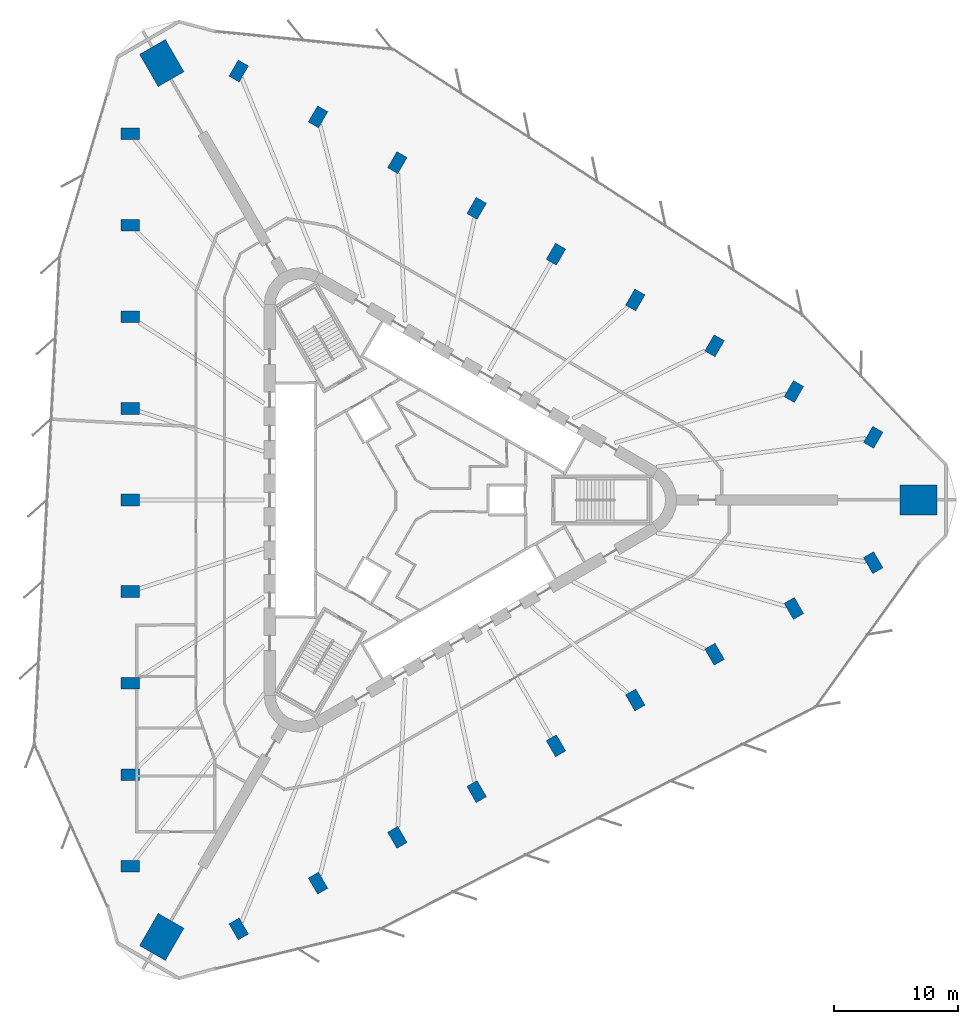
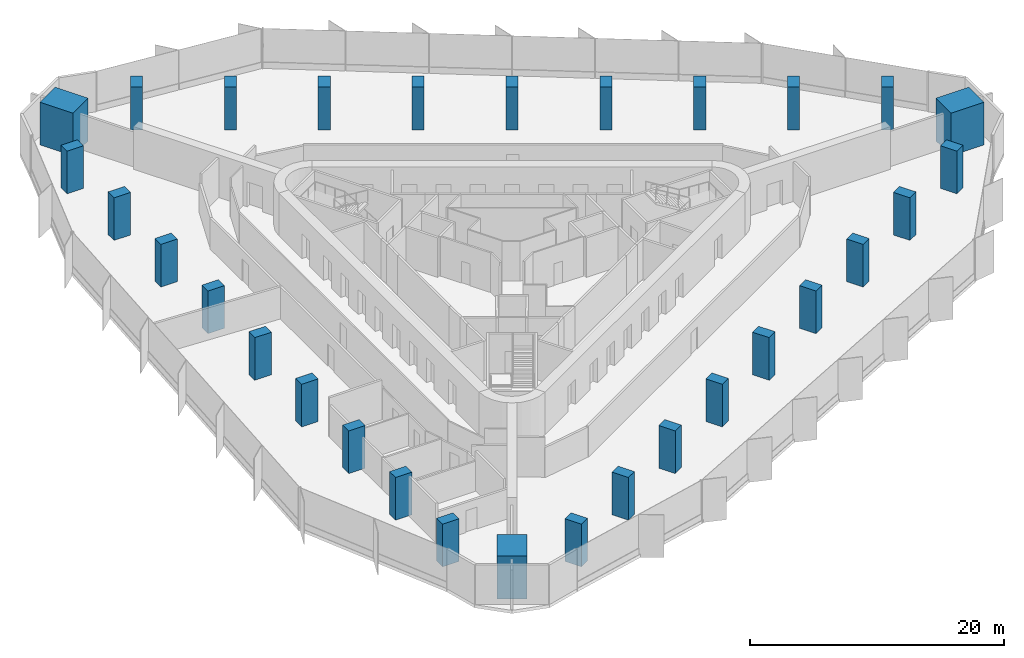
# One storey, part 1 of 14: 30 columns.
"""IFC4 building model written with IfcOpenShell, lengths in metres."""

from ifc_helpers import new_model, si_unit, direction, frame, origin, origin_2d, place, context, subcontext, project, spatial, rectangle, extrude, material, material_profile, profile_set, type_object, element, save


model = new_model("IFC4")

# Units and contexts
model_context = context("Model", 3, precision=1e-05, world=origin(), true_north=direction((0.0, 1.0)))
body_context = subcontext(model_context, "Body", "Model", "MODEL_VIEW")
ifc_project = project(units=[si_unit("LENGTHUNIT", "METRE"), si_unit("AREAUNIT", "SQUARE_METRE"), si_unit("VOLUMEUNIT", "CUBIC_METRE"), si_unit("PLANEANGLEUNIT", "RADIAN"), si_unit("MASSUNIT", "GRAM", prefix="KILO")], contexts=[model_context])

# Site, building, storey
site_placement = place(None, origin())
site = spatial("IfcSite", under=ifc_project, at=site_placement, CompositionType="ELEMENT")
building_placement = place(site_placement, origin())
building = spatial("IfcBuilding", under=site, at=building_placement, Name="Tanit Gate Tower", CompositionType="ELEMENT")
storey_placement = place(building_placement, frame((0.0, 0.0, 111.10009765625)))
storey = spatial("IfcBuildingStorey", under=building, at=storey_placement, Name="L23", CompositionType="ELEMENT", Elevation=111.10009765625)

# Columns
ifc_material_1 = material(Name="Concrete C70/85", Category="concrete")
ifc_material_profile_1 = material_profile(ifc_material_1, rectangle(XDim=3.0, YDim=2.39990234375, at=origin_2d()), Name="RC 3000x2400")
ifc_profile_set_1 = profile_set([ifc_material_profile_1], Name="Concrete C70/85")
column_type_1 = type_object("IfcColumnType", Name="MEGA COLUMN 3000x2400 C70/85", PredefinedType="COLUMN", material=ifc_profile_set_1)
for number, where, z_axis, x_axis, name in (
    (1, (40.72314453125, 0.0, 0.0), (0.0, 0.0, 1.0), (1.0, 0.0, 0.0), "MEGA COLUMN"),
    (2, (-20.361572265625, 35.26708984375, 0.0), (0.0, 0.0, 1.0), (-0.5, 0.866025403784, 0.0), "MEGA COLUMN"),
    (3, (-20.361572265625, -35.26708984375, 0.0), (0.0, 0.0, 1.0), (-0.5, -0.866025403784, 0.0), "MEGA COLUMN"),
):
    element("IfcColumn", number, at=place(storey_placement, frame(where, z_axis=z_axis, x_axis=x_axis)), inside=storey, type_object=column_type_1, Name=name, PredefinedType="COLUMN", context=body_context, shape_type="SweptSolid", body=[
        extrude(rectangle(XDim=3.0, YDim=2.39990234375, at=origin_2d()), origin(), (0.0, 0.0, 1.0), 4.099853515625),
    ])
ifc_material_2 = material(Name="Concrete C60/75", Category="concrete")
ifc_material_profile_2 = material_profile(ifc_material_2, rectangle(XDim=1.5, YDim=0.949951171875, at=origin_2d()), Name="RC 1500x950")
ifc_profile_set_2 = profile_set([ifc_material_profile_2], Name="Concrete C60/75")
column_type_2 = type_object("IfcColumnType", Name="PERIMETER COLUMN 1500x950 C60/75", PredefinedType="COLUMN", material=ifc_profile_set_2)
for number, where, z_axis, x_axis, name in (
    (4, (-22.9091796875, 29.56591796875, 0.0), (0.0, 0.0, 1.0), (-1.0, 0.0, 0.0), "PERIMETER COLUMN"),
    (5, (-22.9091796875, 22.17431640625, 0.0), (0.0, 0.0, 1.0), (-1.0, 0.0, 0.0), "PERIMETER COLUMN"),
    (6, (-22.9091796875, 14.782958984375, 0.0), (0.0, 0.0, 1.0), (-1.0, 0.0, 0.0), "PERIMETER COLUMN"),
    (7, (-22.9091796875, 7.391357421875, 0.0), (0.0, 0.0, 1.0), (-1.0, 0.0, 0.0), "PERIMETER COLUMN"),
    (8, (-22.9091796875, 0.0, 0.0), (0.0, 0.0, 1.0), (-1.0, 0.0, 0.0), "PERIMETER COLUMN"),
    (9, (-22.9091796875, -7.391357421875, 0.0), (0.0, 0.0, 1.0), (-1.0, 0.0, 0.0), "PERIMETER COLUMN"),
    (10, (-22.9091796875, -14.782958984375, 0.0), (0.0, 0.0, 1.0), (-1.0, 0.0, 0.0), "PERIMETER COLUMN"),
    (11, (-22.9091796875, -22.17431640625, 0.0), (0.0, 0.0, 1.0), (-1.0, 0.0, 0.0), "PERIMETER COLUMN"),
    (12, (-22.9091796875, -29.56591796875, 0.0), (0.0, 0.0, 1.0), (-1.0, 0.0, 0.0), "PERIMETER COLUMN"),
    (13, (37.059326171875, 5.056884765625, 0.0), (0.0, 0.0, 1.0), (0.5, 0.866025403784, 0.0), "PERIMETER COLUMN"),
    (14, (30.658203125, 8.752685546875, 0.0), (0.0, 0.0, 1.0), (0.5, 0.866025403784, 0.0), "PERIMETER COLUMN"),
    (15, (24.2568359375, 12.448486328125, 0.0), (0.0, 0.0, 1.0), (0.5, 0.866025403784, 0.0), "PERIMETER COLUMN"),
    (16, (17.855712890625, 16.14404296875, 0.0), (0.0, 0.0, 1.0), (0.5, 0.866025403784, 0.0), "PERIMETER COLUMN"),
    (17, (11.45458984375, 19.83984375, 0.0), (0.0, 0.0, 1.0), (0.5, 0.866025403784, 0.0), "PERIMETER COLUMN"),
    (18, (5.05322265625, 23.535400390625, 0.0), (0.0, 0.0, 1.0), (0.5, 0.866025403784, 0.0), "PERIMETER COLUMN"),
    (19, (-1.347900390625, 27.231201171875, 0.0), (0.0, 0.0, 1.0), (0.5, 0.866025403784, 0.0), "PERIMETER COLUMN"),
    (20, (-7.7490234375, 30.927001953125, 0.0), (0.0, 0.0, 1.0), (0.5, 0.866025403784, 0.0), "PERIMETER COLUMN"),
    (21, (-14.150146484375, 34.622802734375, 0.0), (0.0, 0.0, 1.0), (0.5, 0.866025403784, 0.0), "PERIMETER COLUMN"),
    (22, (-14.150146484375, -34.622802734375, 0.0), (0.0, 0.0, 1.0), (0.5, -0.866025403784, 0.0), "PERIMETER COLUMN"),
    (23, (-7.7490234375, -30.927001953125, 0.0), (0.0, 0.0, 1.0), (0.5, -0.866025403784, 0.0), "PERIMETER COLUMN"),
    (24, (-1.347900390625, -27.231201171875, 0.0), (0.0, 0.0, 1.0), (0.5, -0.866025403784, 0.0), "PERIMETER COLUMN"),
    (25, (5.05322265625, -23.535400390625, 0.0), (0.0, 0.0, 1.0), (0.5, -0.866025403784, 0.0), "PERIMETER COLUMN"),
    (26, (11.45458984375, -19.83984375, 0.0), (0.0, 0.0, 1.0), (0.5, -0.866025403784, 0.0), "PERIMETER COLUMN"),
    (27, (17.855712890625, -16.14404296875, 0.0), (0.0, 0.0, 1.0), (0.5, -0.866025403784, 0.0), "PERIMETER COLUMN"),
    (28, (24.2568359375, -12.448486328125, 0.0), (0.0, 0.0, 1.0), (0.5, -0.866025403784, 0.0), "PERIMETER COLUMN"),
    (29, (30.658203125, -8.752685546875, 0.0), (0.0, 0.0, 1.0), (0.5, -0.866025403784, 0.0), "PERIMETER COLUMN"),
    (30, (37.059326171875, -5.056884765625, 0.0), (0.0, 0.0, 1.0), (0.5, -0.866025403784, 0.0), "PERIMETER COLUMN"),
):
    element("IfcColumn", number, at=place(storey_placement, frame(where, z_axis=z_axis, x_axis=x_axis)), inside=storey, type_object=column_type_2, Name=name, PredefinedType="COLUMN", context=body_context, shape_type="SweptSolid", body=[
        extrude(rectangle(XDim=1.5, YDim=0.949951171875, at=origin_2d()), origin(), (0.0, 0.0, 1.0), 4.099853515625),
    ])

save(model, "model.ifc")
